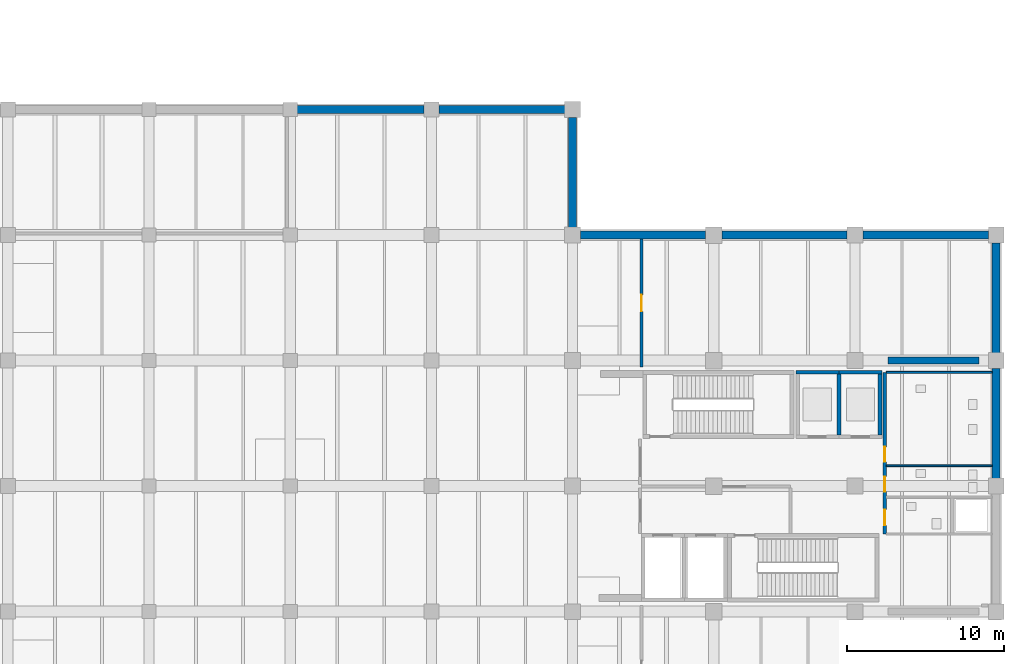
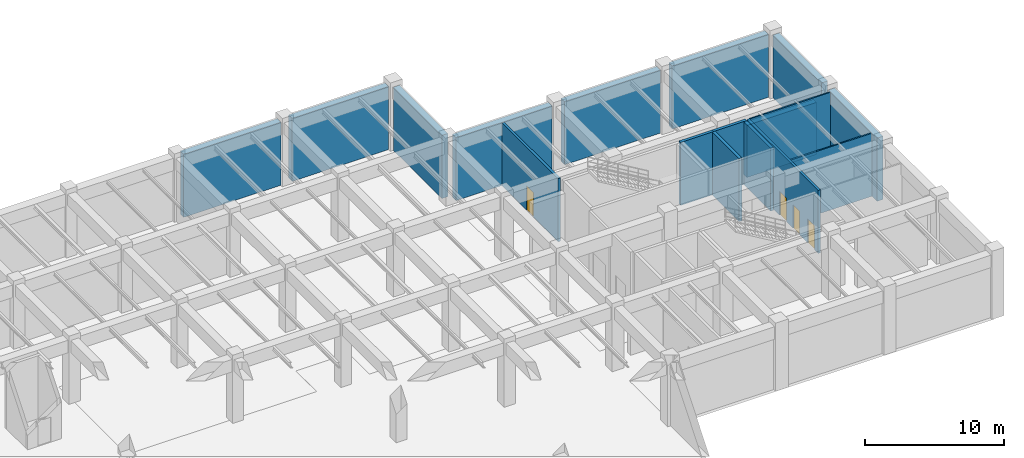
# One storey, part 12 of 20: 17 walls, 4 doors, 4 openings.
"""IFC4 building model written with IfcOpenShell, lengths in metres."""

from ifc_helpers import new_model, si_unit, derived_unit, direction, frame, frame_2d, origin, place, context, subcontext, project, spatial, rectangle, extrude, material, layer, layer_set, type_object, element, fill, save


model = new_model("IFC4")

# Units and contexts
model_context = context("Model", 3, precision=1e-05, world=origin(), true_north=direction((0.0, 1.0)))
body_context = subcontext(model_context, "Body", "Model", "MODEL_VIEW")
ifc_project = project(units=[si_unit("LENGTHUNIT", "METRE"), si_unit("AREAUNIT", "SQUARE_METRE"), si_unit("VOLUMEUNIT", "CUBIC_METRE"), si_unit("PLANEANGLEUNIT", "RADIAN"), si_unit("MASSUNIT", "GRAM", prefix="KILO"), derived_unit("THERMALTRANSMITTANCEUNIT", [(si_unit("MASSUNIT", "GRAM", prefix="KILO"), 1), (si_unit("TIMEUNIT", "SECOND"), -3), (si_unit("THERMODYNAMICTEMPERATUREUNIT", "KELVIN"), -1)])], contexts=[model_context])

# Site, building, storey
site_placement = place(None, origin())
site = spatial("IfcSite", under=ifc_project, at=site_placement, CompositionType="ELEMENT")
building_placement = place(site_placement, origin())
building = spatial("IfcBuilding", under=site, at=building_placement, Name="Zhenchuan Archway Interchange", CompositionType="ELEMENT")
storey_placement = place(building_placement, frame((0.0, 0.0, -6.0)))
storey = spatial("IfcBuildingStorey", under=building, at=storey_placement, Name="B1", CompositionType="ELEMENT", Elevation=-6.0)

# Walls
ifc_material_1 = material(Name="Concrete C40", Category="concrete")
ifc_layer_1 = layer(ifc_material_1, 0.5)
ifc_layer_set_1 = layer_set([ifc_layer_1], Name="Concrete C40")
wall_type_1 = type_object("IfcWallType", Name="EW_DIAPH_500", PredefinedType="STANDARD", material=ifc_layer_set_1)
wall_1_placement = place(storey_placement, frame((126.447998046875, 80.0, 0.0), z_axis=(0.0, 0.0, 1.0), x_axis=(1.0, 0.0, 0.0)))
element("IfcWall", 1, at=wall_1_placement, inside=storey, type_object=wall_type_1, Name="Basement diaphragm wall B1-027", PredefinedType="STANDARD", context=body_context, shape_type="SweptSolid", body=[
    extrude(rectangle(XDim=8.0791015625, YDim=0.5, at=frame_2d((4.03955078125, 0.0))), origin(), (0.0, 0.0, 1.0), 5.56005859375),
])
wall_2_placement = place(storey_placement, frame((135.472900390625, 80.0, 0.0), z_axis=(0.0, 0.0, 1.0), x_axis=(1.0, 0.0, 0.0)))
element("IfcWall", 2, at=wall_2_placement, inside=storey, type_object=wall_type_1, Name="Basement diaphragm wall B1-028", PredefinedType="STANDARD", context=body_context, shape_type="SweptSolid", body=[
    extrude(rectangle(XDim=8.029052734375, YDim=0.5, at=frame_2d((4.0146484375, 0.0))), origin(), (0.0, 0.0, 1.0), 5.56005859375),
])
wall_3_placement = place(storey_placement, frame((144.0, 79.501953125, 0.0), z_axis=(0.0, 0.0, 1.0), x_axis=(0.0, -1.0, 0.0)))
element("IfcWall", 3, at=wall_3_placement, inside=storey, type_object=wall_type_1, Name="Basement diaphragm wall B1-029", PredefinedType="STANDARD", context=body_context, shape_type="SweptSolid", body=[
    extrude(rectangle(XDim=7.00390625, YDim=0.5, at=frame_2d((3.501953125, 0.0))), origin(), (0.0, 0.0, 1.0), 5.56005859375),
])
for number, where, z_axis, x_axis, name in (
    (4, (144.498046875, 72.0, 0.0), (0.0, 0.0, 1.0), (1.0, 0.0, 0.0), "Basement diaphragm wall B1-030"),
    (5, (153.52294921875, 72.0, 0.0), (0.0, 0.0, 1.0), (1.0, 0.0, 0.0), "Basement diaphragm wall B1-031"),
):
    element("IfcWall", number, at=place(storey_placement, frame(where, z_axis=z_axis, x_axis=x_axis)), inside=storey, type_object=wall_type_1, Name=name, PredefinedType="STANDARD", context=body_context, shape_type="SweptSolid", body=[
        extrude(rectangle(XDim=7.97900390625, YDim=0.5, at=frame_2d((3.989501953125, 0.0))), origin(), (0.0, 0.0, 1.0), 5.56005859375),
    ])
wall_4_placement = place(storey_placement, frame((162.498046875, 72.0, 0.0), z_axis=(0.0, 0.0, 1.0), x_axis=(1.0, 0.0, 0.0)))
element("IfcWall", 6, at=wall_4_placement, inside=storey, type_object=wall_type_1, Name="Basement diaphragm wall B1-032", PredefinedType="STANDARD", context=body_context, shape_type="SweptSolid", body=[
    extrude(rectangle(XDim=8.00390625, YDim=0.5, at=frame_2d((4.001953125, 0.0))), origin(), (0.0, 0.0, 1.0), 5.56005859375),
])
for number, where, z_axis, x_axis, name in (
    (7, (171.0, 71.501953125, 0.0), (0.0, 0.0, 1.0), (0.0, -1.0, 0.0), "Basement diaphragm wall B1-033"),
    (8, (171.0, 63.501953125, 0.0), (0.0, 0.0, 1.0), (0.0, -1.0, 0.0), "Basement diaphragm wall B1-034"),
):
    element("IfcWall", number, at=place(storey_placement, frame(where, z_axis=z_axis, x_axis=x_axis)), inside=storey, type_object=wall_type_1, Name=name, PredefinedType="STANDARD", context=body_context, shape_type="SweptSolid", body=[
        extrude(rectangle(XDim=7.00390625, YDim=0.5, at=frame_2d((3.501953125, 0.0))), origin(), (0.0, 0.0, 1.0), 5.56005859375),
    ])
ifc_material_2 = material(Name="Concrete C50", Category="concrete")
ifc_layer_2 = layer(ifc_material_2, 0.449951171875)
ifc_layer_set_2 = layer_set([ifc_layer_2], Name="Concrete C50")
wall_type_2 = type_object("IfcWallType", Name="WL_CORE_450", PredefinedType="SHEAR", material=ifc_layer_set_2)
wall_5_placement = place(storey_placement, frame((164.10009765625, 64.0, 0.0), z_axis=(0.0, 0.0, 1.0), x_axis=(1.0, 0.0, 0.0)))
element("IfcWall", 9, at=wall_5_placement, inside=storey, type_object=wall_type_2, Name="Operations lateral shear wall E-N (B1)", PredefinedType="SHEAR", context=body_context, shape_type="SweptSolid", body=[
    extrude(rectangle(XDim=5.7998046875, YDim=0.449951171875, at=frame_2d((2.89990234375, 0.0))), origin(), (0.0, 0.0, 1.0), 4.60009765625),
])

# Wall, openings, doors
ifc_material_3 = material(Name="Autoclaved Aerated Concrete Block", Category="concrete")
ifc_layer_3 = layer(ifc_material_3, 0.199951171875)
ifc_layer_set_3 = layer_set([ifc_layer_3], Name="Autoclaved Aerated Concrete Block")
wall_type_3 = type_object("IfcWallType", Name="WL_FIRE_200", PredefinedType="STANDARD", material=ifc_layer_set_3)
wall_6_placement = place(storey_placement, frame((163.89990234375, 52.949951171875, 0.0), z_axis=(0.0, 0.0, 1.0), x_axis=(0.0, 1.0, 0.0)))
wall_6 = element("IfcWall", 10, at=wall_6_placement, inside=storey, type_object=wall_type_3, Name="Sanitary block west wall (B1)", PredefinedType="STANDARD", context=body_context, shape_type="SweptSolid", body=[
    extrude(rectangle(XDim=10.300048828125, YDim=0.199951171875, at=frame_2d((5.14990234375, 0.0))), origin(), (0.0, 0.0, 1.0), 5.550048828125),
])
opening_1_placement = place(wall_6_placement, frame((0.550048828125, 0.0, 0.0)))
opening_1 = element("IfcOpeningElement", 11, at=opening_1_placement, cuts=wall_6, Name="Opening ID-02", PredefinedType="OPENING", context=body_context, shape_type="SweptSolid", body=[
    extrude(rectangle(XDim=1.0, YDim=2.10009765625, at=frame_2d((0.5, 1.050048828125))), frame((0.0, 0.11181640625, 0.0), z_axis=(0.0, -1.0, 0.0), x_axis=(1.0, 0.0, 0.0)), (0.0, 0.0, 1.0), 0.223876953125),
])
opening_2_placement = place(wall_6_placement, frame((2.699951171875, 0.0, 0.0)))
opening_2 = element("IfcOpeningElement", 12, at=opening_2_placement, cuts=wall_6, Name="Opening ID-03", PredefinedType="OPENING", context=body_context, shape_type="SweptSolid", body=[
    extrude(rectangle(XDim=0.949951171875, YDim=2.10009765625, at=frame_2d((0.47509765625, 1.050048828125))), frame((0.0, 0.11181640625, 0.0), z_axis=(0.0, -1.0, 0.0), x_axis=(1.0, 0.0, 0.0)), (0.0, 0.0, 1.0), 0.223876953125),
])
opening_3_placement = place(wall_6_placement, frame((4.60009765625, 0.0, 0.0)))
opening_3 = element("IfcOpeningElement", 13, at=opening_3_placement, cuts=wall_6, Name="Opening ID-03", PredefinedType="OPENING", context=body_context, shape_type="SweptSolid", body=[
    extrude(rectangle(XDim=0.949951171875, YDim=2.10009765625, at=frame_2d((0.47509765625, 1.050048828125))), frame((0.0, 0.11181640625, 0.0), z_axis=(0.0, -1.0, 0.0), x_axis=(1.0, 0.0, 0.0)), (0.0, 0.0, 1.0), 0.223876953125),
])
ifc_material_4 = material(Name="Hardwood Timber", Category="wood")
door_type_1 = type_object("IfcDoorType", Name="DR_OPS_100", OperationType="NOTDEFINED", PredefinedType="DOOR", material=ifc_material_4)
door_1_placement = place(opening_1_placement, origin())
door_1 = element("IfcDoor", 14, at=door_1_placement, inside=storey, type_object=door_type_1, Name="Accessible WC door (B1)", OperationType="SINGLE_SWING_RIGHT", OverallHeight=2.10009765625, OverallWidth=1.0, PredefinedType="DOOR", context=body_context, shape_type="SweptSolid", body=[
    extrude(rectangle(XDim=1.0, YDim=2.10009765625, at=frame_2d((0.5, 1.050048828125))), frame((0.0, 0.02490234375, 0.0), z_axis=(0.0, -1.0, 0.0), x_axis=(1.0, 0.0, 0.0)), (0.0, 0.0, 1.0), 0.050048828125),
])
fill(opening_1, door_1)
door_type_2 = type_object("IfcDoorType", Name="DR_WC_95", OperationType="NOTDEFINED", PredefinedType="DOOR", material=ifc_material_4)
door_2_placement = place(opening_2_placement, origin())
door_2 = element("IfcDoor", 15, at=door_2_placement, inside=storey, type_object=door_type_2, Name="Male toilet door (B1)", OperationType="SINGLE_SWING_LEFT", OverallHeight=2.10009765625, OverallWidth=0.949951171875, PredefinedType="DOOR", context=body_context, shape_type="SweptSolid", body=[
    extrude(rectangle(XDim=0.949951171875, YDim=2.10009765625, at=frame_2d((0.47509765625, 1.050048828125))), frame((0.0, 0.02490234375, 0.0), z_axis=(0.0, -1.0, 0.0), x_axis=(1.0, 0.0, 0.0)), (0.0, 0.0, 1.0), 0.050048828125),
])
fill(opening_2, door_2)
door_3_placement = place(opening_3_placement, origin())
door_3 = element("IfcDoor", 16, at=door_3_placement, inside=storey, type_object=door_type_2, Name="Female toilet door (B1)", OperationType="SINGLE_SWING_RIGHT", OverallHeight=2.10009765625, OverallWidth=0.949951171875, PredefinedType="DOOR", context=body_context, shape_type="SweptSolid", body=[
    extrude(rectangle(XDim=0.949951171875, YDim=2.10009765625, at=frame_2d((0.47509765625, 1.050048828125))), frame((0.0, 0.02490234375, 0.0), z_axis=(0.0, -1.0, 0.0), x_axis=(1.0, 0.0, 0.0)), (0.0, 0.0, 1.0), 0.050048828125),
])
fill(opening_3, door_3)

# Wall, opening, door
wall_7_placement = place(storey_placement, frame((148.39990234375, 63.60009765625, 0.0), z_axis=(0.0, 0.0, 1.0), x_axis=(0.0, 1.0, 0.0)))
wall_7 = element("IfcWall", 17, at=wall_7_placement, inside=storey, type_object=wall_type_3, Name="Concourse Air Handling Plant Room W partition (B1)", PredefinedType="STANDARD", context=body_context, shape_type="SweptSolid", body=[
    extrude(rectangle(XDim=8.139892578125, YDim=0.199951171875, at=frame_2d((4.06982421875, 0.0))), origin(), (0.0, 0.0, 1.0), 5.550048828125),
])
opening_4_placement = place(wall_7_placement, frame((3.544921875, 0.0, 0.0)))
opening_4 = element("IfcOpeningElement", 18, at=opening_4_placement, cuts=wall_7, Name="Opening FD-03", PredefinedType="OPENING", context=body_context, shape_type="SweptSolid", body=[
    extrude(rectangle(XDim=1.050048828125, YDim=2.14990234375, at=frame_2d((0.52490234375, 1.074951171875))), frame((0.0, 0.11181640625, 0.0), z_axis=(0.0, -1.0, 0.0), x_axis=(1.0, 0.0, 0.0)), (0.0, 0.0, 1.0), 0.223876953125),
])
ifc_material_5 = material(Name="Painted Galvanised Steel", Category="steel")
door_type_3 = type_object("IfcDoorType", Name="DR_PLANT_FD60_S", OperationType="NOTDEFINED", PredefinedType="DOOR", material=ifc_material_5)
door_4_placement = place(opening_4_placement, origin())
door_4 = element("IfcDoor", 19, at=door_4_placement, inside=storey, type_object=door_type_3, Name="Concourse Air Handling Plant Room door (B1)", OperationType="SINGLE_SWING_LEFT", OverallHeight=2.14990234375, OverallWidth=1.050048828125, PredefinedType="DOOR", context=body_context, shape_type="SweptSolid", body=[
    extrude(rectangle(XDim=1.050048828125, YDim=2.14990234375, at=frame_2d((0.52490234375, 1.074951171875))), frame((0.0, 0.02490234375, 0.0), z_axis=(0.0, -1.0, 0.0), x_axis=(1.0, 0.0, 0.0)), (0.0, 0.0, 1.0), 0.050048828125),
])
fill(opening_4, door_4)

# Walls
ifc_layer_4 = layer(ifc_material_1, 0.239990234375)
ifc_layer_set_4 = layer_set([ifc_layer_4], Name="Concrete C40")
wall_type_4 = type_object("IfcWallType", Name="WL_LIFT_240", PredefinedType="SHEAR", material=ifc_layer_set_4)
wall_8_placement = place(storey_placement, frame((160.97509765625, 63.25, 0.0), z_axis=(0.0, 0.0, 1.0), x_axis=(-1.0, 0.0, 0.0)))
element("IfcWall", 20, at=wall_8_placement, inside=storey, type_object=wall_type_4, Name="Lift LF-06 north shaft wall (B1)", PredefinedType="SHEAR", context=body_context, shape_type="SweptSolid", body=[
    extrude(rectangle(XDim=2.7451171875, YDim=0.239990234375, at=frame_2d((1.37255859375, 0.0))), origin(), (0.0, 0.0, 1.0), 5.550048828125),
])
wall_9_placement = place(storey_placement, frame((160.97509765625, 59.27001953125, 0.0), z_axis=(0.0, 0.0, 1.0), x_axis=(0.0, 1.0, 0.0)))
element("IfcWall", 21, at=wall_9_placement, inside=storey, type_object=wall_type_4, Name="Lift LF-06 east shaft wall (B1)", PredefinedType="SHEAR", context=body_context, shape_type="SweptSolid", body=[
    extrude(rectangle(XDim=3.85986328125, YDim=0.239990234375, at=frame_2d((1.929931640625, 0.0))), origin(), (0.0, 0.0, 1.0), 5.550048828125),
])
wall_10_placement = place(storey_placement, frame((163.719970703125, 63.25, 0.0), z_axis=(0.0, 0.0, 1.0), x_axis=(-1.0, 0.0, 0.0)))
element("IfcWall", 22, at=wall_10_placement, inside=storey, type_object=wall_type_4, Name="Lift LF-07 north shaft wall (B1)", PredefinedType="SHEAR", context=body_context, shape_type="SweptSolid", body=[
    extrude(rectangle(XDim=2.744873046875, YDim=0.239990234375, at=frame_2d((1.37255859375, 0.0))), origin(), (0.0, 0.0, 1.0), 5.550048828125),
])
wall_11_placement = place(storey_placement, frame((163.60009765625, 59.27001953125, 0.0), z_axis=(0.0, 0.0, 1.0), x_axis=(0.0, 1.0, 0.0)))
element("IfcWall", 23, at=wall_11_placement, inside=storey, type_object=wall_type_4, Name="Lift LF-07 east shaft wall (B1)", PredefinedType="SHEAR", context=body_context, shape_type="SweptSolid", body=[
    extrude(rectangle(XDim=3.85986328125, YDim=0.239990234375, at=frame_2d((1.929931640625, 0.0))), origin(), (0.0, 0.0, 1.0), 5.550048828125),
])
ifc_material_6 = material(Name="Gypsum Plasterboard", Category="gypsum")
ifc_layer_5 = layer(ifc_material_6, 0.1201171875)
ifc_layer_set_5 = layer_set([ifc_layer_5], Name="Gypsum Plasterboard")
wall_type_5 = type_object("IfcWallType", Name="WL_WC_120", PredefinedType="STANDARD", material=ifc_layer_set_5)
for number, where, z_axis, x_axis, name in (
    (24, (164.010009765625, 57.300048828125, 0.0), (0.0, 0.0, 1.0), (1.0, 0.0, 0.0), "Sanitary divider MF (B1)"),
    (25, (164.010009765625, 63.25, 0.0), (0.0, 0.0, 1.0), (1.0, 0.0, 0.0), "Sanitary divider FN (B1)"),
):
    element("IfcWall", number, at=place(storey_placement, frame(where, z_axis=z_axis, x_axis=x_axis)), inside=storey, type_object=wall_type_5, Name=name, PredefinedType="STANDARD", context=body_context, shape_type="SweptSolid", body=[
        extrude(rectangle(XDim=6.72509765625, YDim=0.1201171875, at=frame_2d((3.362548828125, 0.0))), origin(), (0.0, 0.0, 1.0), 5.550048828125),
    ])

save(model, "model.ifc")
